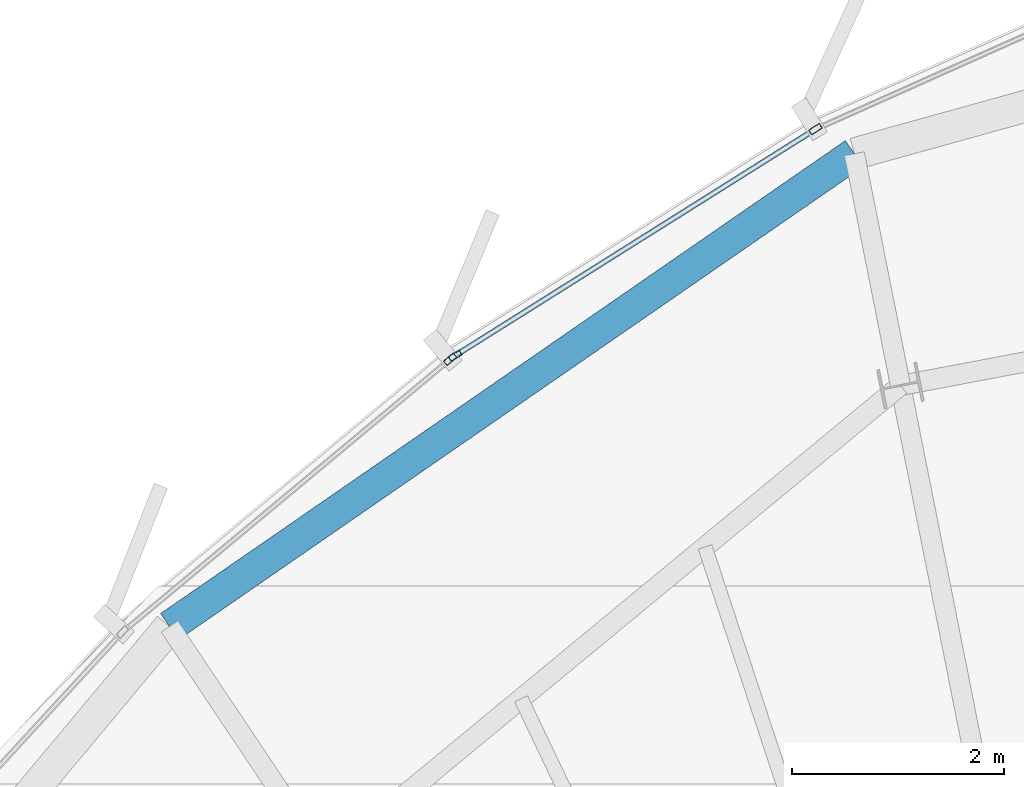
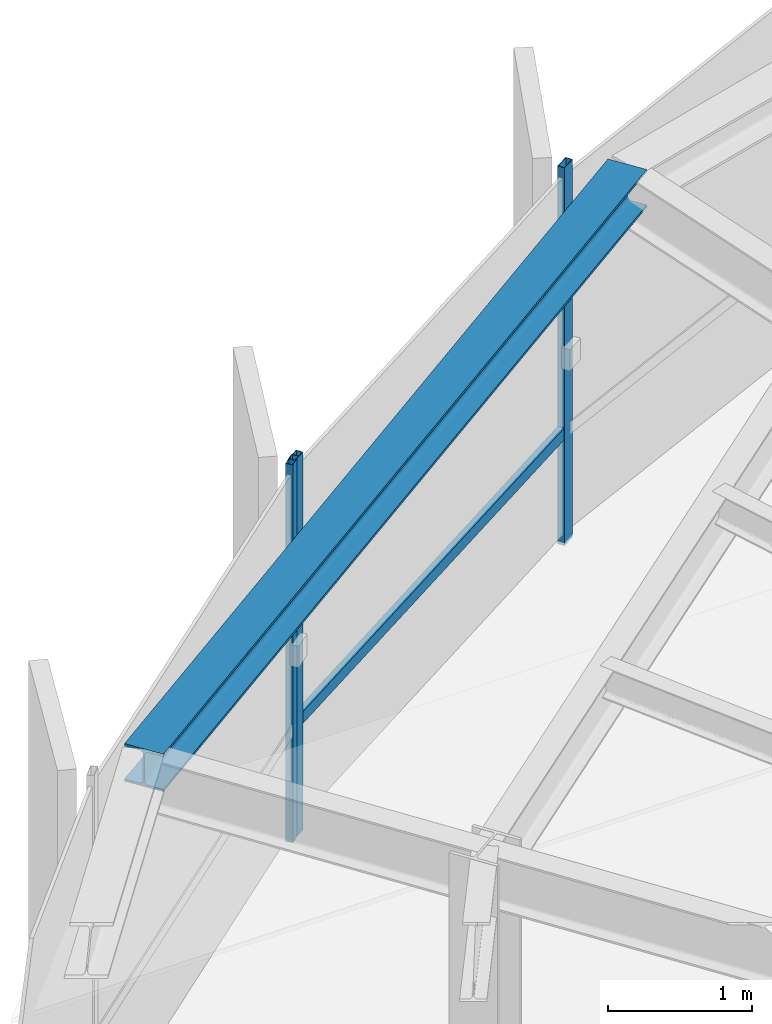
# One storey, part 19 of 32: 4 members, 1 beam, 2 elements without a shape of their own.
"""IFC4 building model written with IfcOpenShell, lengths in metres."""

from ifc_helpers import new_model, si_unit, direction, frame, origin, origin_2d, place, context, subcontext, project, spatial, hollow_rectangle, i_section, extrude, source, transform, mapped, material, layer, layer_set, material_profile, profile_set, type_object, element, aggregate, save


model = new_model("IFC4")

# Units and contexts
model_context = context("Model", 3, precision=1e-05, world=origin(), true_north=direction((0.0, 1.0)))
body_context = subcontext(model_context, "Body", "Model", "MODEL_VIEW")
ifc_project = project(units=[si_unit("LENGTHUNIT", "METRE"), si_unit("AREAUNIT", "SQUARE_METRE"), si_unit("VOLUMEUNIT", "CUBIC_METRE"), si_unit("PLANEANGLEUNIT", "RADIAN"), si_unit("MASSUNIT", "GRAM", prefix="KILO"), si_unit("THERMODYNAMICTEMPERATUREUNIT", "KELVIN")], contexts=[model_context])

# Site, building, storey
site_placement = place(None, origin())
site = spatial("IfcSite", under=ifc_project, at=site_placement, CompositionType="ELEMENT")
building_placement = place(site_placement, origin())
building = spatial("IfcBuilding", under=site, at=building_placement, Name="Kethvar Cultural Tower", CompositionType="ELEMENT")
storey_placement = place(building_placement, frame((0.0, 0.0, 273.25)))
storey = spatial("IfcBuildingStorey", under=building, at=storey_placement, Name="L72", CompositionType="ELEMENT", Elevation=273.25)

# Beam
ifc_material_1 = material(Name="Steel S355J2", Category="steel")
ifc_material_profile_1 = material_profile(ifc_material_1, i_section(OverallWidth=0.300048828125, OverallDepth=0.320068359375, WebThickness=0.011474609375, FlangeThickness=0.0205078125, FilletRadius=0.027099609375, at=origin_2d()), Name="Steel S355J2 — HEB320")
ifc_profile_set_1 = profile_set([ifc_material_profile_1], Name="Steel S355J2 — HEB320")
beam_type = type_object("IfcBeamType", Name="BM-SP320", PredefinedType="SPANDREL", material=ifc_profile_set_1)
shared_shape_1 = source(origin(), body_context, "Body", "SweptSolid", [
    extrude(i_section(OverallWidth=0.300048828125, OverallDepth=0.320068359375, WebThickness=0.011474609375, FlangeThickness=0.0205078125, FilletRadius=0.027099609375, at=origin_2d()), origin(), (0.0, 0.0, 1.0), 7.850830078125),
])
beam_placement = place(storey_placement, frame((42.798095703125, 47.9189453125, 3.048095703125), z_axis=(-0.822863318952, -0.568239349503, 0.0), x_axis=(0.568239349503, -0.822863318952, 0.0)))
element("IfcBeam", 1, at=beam_placement, inside=storey, type_object=beam_type, Name="L72 Perimeter Spandrel Beam SP-05", PredefinedType="SPANDREL", context=body_context, shape_type="MappedRepresentation", body=[
    mapped(shared_shape_1, transform((0.0, 0.0, 0.0), scale=1.0)),
])

# Curtain wall, members
ifc_material_2 = material(Name="Aluminium 6063-T6", Category="aluminium")
ifc_layer = layer(ifc_material_2, 0.179931640625, Name="Aluminium 6063-T6", Category="aluminium")
ifc_layer_set = layer_set([ifc_layer], Name="Aluminium 6063-T6 (180 mm)")
curtain_wall_type = type_object("IfcCurtainWallType", Name="CW-SYS-05-Z56", PredefinedType="NOTDEFINED", material=ifc_layer_set)
curtain_wall_1_placement = place(storey_placement, origin())
curtain_wall_1 = element("IfcCurtainWall", 2, at=curtain_wall_1_placement, inside=storey, type_object=curtain_wall_type, Name="L72 Curtain Wall Run 01", PredefinedType="NOTDEFINED")
ifc_material_profile_2 = material_profile(ifc_material_2, hollow_rectangle(XDim=0.054931640625, YDim=0.1201171875, WallThickness=0.00390625, at=origin_2d()), Name="Aluminium 6063-T6 — RHS120x55x4")
ifc_profile_set_2 = profile_set([ifc_material_profile_2], Name="Aluminium 6063-T6 — RHS120x55x4")
member_type_1 = type_object("IfcMemberType", Name="CW-SYS-05-Z56-MUL", PredefinedType="MULLION", material=ifc_profile_set_2)
shared_shape_2 = source(origin(), body_context, "Body", "SweptSolid", [
    extrude(hollow_rectangle(XDim=0.054931640625, YDim=0.1201171875, WallThickness=0.00390625, at=origin_2d()), origin(), (0.0, 0.0, 1.0), 3.2099609375),
])
member_1_placement = place(storey_placement, frame((42.43115234375, 48.15087890625, 0.0), z_axis=(0.0, 0.0, 1.0), x_axis=(0.532211513228, -0.846611425146, 0.0)))
member_1 = element("IfcMember", 3, at=member_1_placement, type_object=member_type_1, Name="CW-L72-R01 Mullion 6", PredefinedType="MULLION", context=body_context, shape_type="MappedRepresentation", body=[
    mapped(shared_shape_2, transform((0.0, 0.0, 0.0), scale=1.0)),
])
member_2_placement = place(storey_placement, frame((39.031982421875, 46.013916015625, 0.0), z_axis=(0.0, 0.0, 1.0), x_axis=(0.532211513228, -0.846611425146, 0.0)))
member_2 = element("IfcMember", 4, at=member_2_placement, type_object=member_type_1, Name="CW-L72-R01 Mullion 7", PredefinedType="MULLION", context=body_context, shape_type="MappedRepresentation", body=[
    mapped(shared_shape_2, transform((0.0, 0.0, 0.0), scale=1.0)),
])

# Curtain wall, member
curtain_wall_2_placement = place(storey_placement, origin())
curtain_wall_2 = element("IfcCurtainWall", 5, at=curtain_wall_2_placement, inside=storey, type_object=curtain_wall_type, Name="L72 Curtain Wall Run 02", PredefinedType="NOTDEFINED")
member_3_placement = place(storey_placement, frame((38.985107421875, 45.97998046875, 0.0), z_axis=(0.0, 0.0, 1.0), x_axis=(0.639935365008, -0.7684287401, 0.0)))
member_3 = element("IfcMember", 6, at=member_3_placement, type_object=member_type_1, Name="CW-L72-R02 Mullion 1", PredefinedType="MULLION", context=body_context, shape_type="MappedRepresentation", body=[
    mapped(shared_shape_2, transform((0.0, 0.0, 0.0), scale=1.0)),
])
aggregate(curtain_wall_2, [member_3])

# Member
ifc_material_profile_3 = material_profile(ifc_material_2, hollow_rectangle(XDim=0.050048828125, YDim=0.10009765625, WallThickness=0.00390625, at=origin_2d()), Name="Aluminium 6063-T6 — RHS100x50x4")
ifc_profile_set_3 = profile_set([ifc_material_profile_3], Name="Aluminium 6063-T6 — RHS100x50x4")
member_type_2 = type_object("IfcMemberType", Name="CW-SYS-05-Z56-TRN", PredefinedType="USERDEFINED", material=ifc_profile_set_3)
shared_shape_3 = source(origin(), body_context, "Body", "SweptSolid", [
    extrude(hollow_rectangle(XDim=0.050048828125, YDim=0.10009765625, WallThickness=0.00390625, at=origin_2d()), origin(), (0.0, 0.0, 1.0), 3.9716796875),
])
member_4_placement = place(storey_placement, frame((42.397705078125, 48.1298828125, 0.949951171875), z_axis=(-0.846617557552, -0.532201758025, 0.0), x_axis=(0.532201758025, -0.846617557552, 0.0)))
member_4 = element("IfcMember", 7, at=member_4_placement, type_object=member_type_2, Name="CW-L72-R01 Transom 6", ObjectType="TRANSOM", PredefinedType="USERDEFINED", context=body_context, shape_type="MappedRepresentation", body=[
    mapped(shared_shape_3, transform((0.0, 0.0, 0.0), scale=1.0)),
])

aggregate(curtain_wall_1, [member_1, member_2, member_4])

save(model, "model.ifc")
